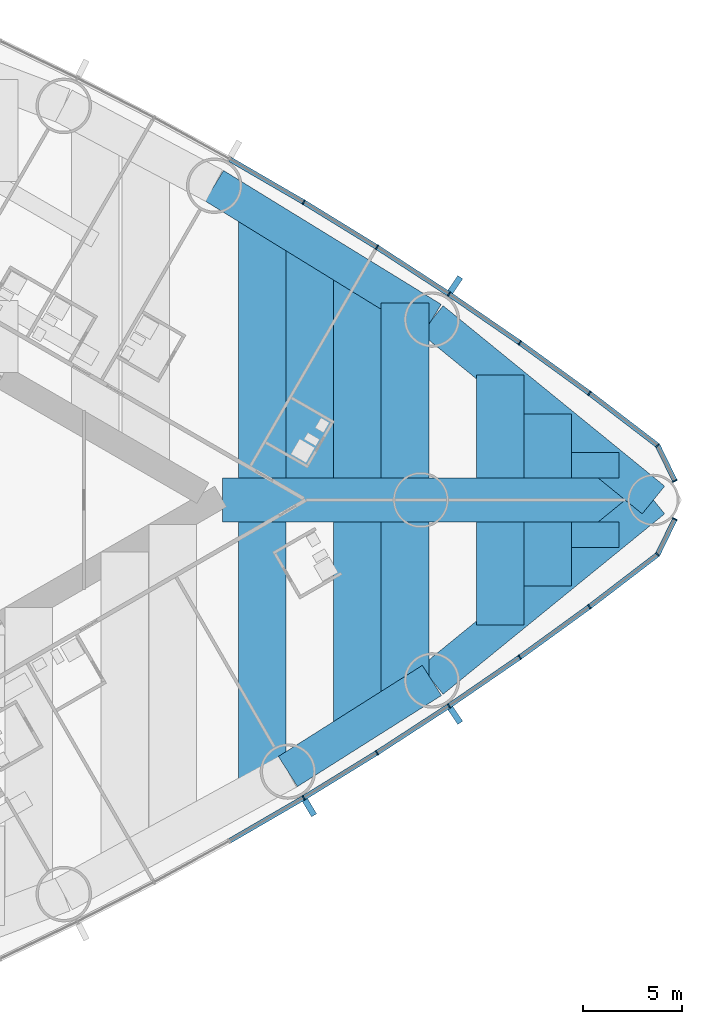
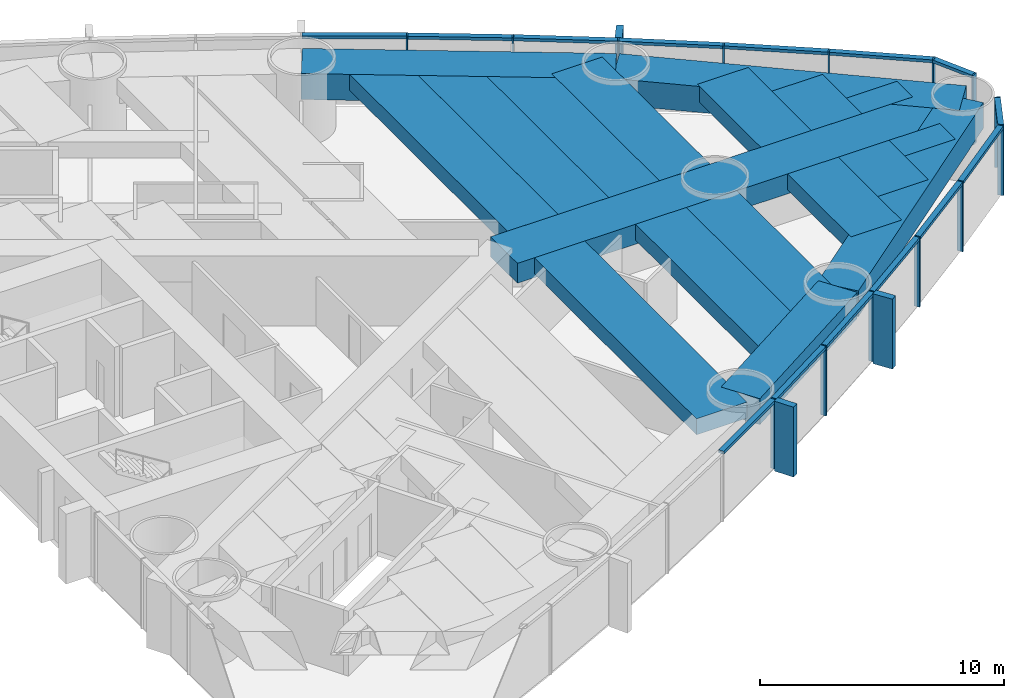
# One storey, part 8 of 19: 31 members, 18 beams, 2 elements without a shape of their own.
"""IFC4 building model written with IfcOpenShell, lengths in metres."""

from ifc_helpers import new_model, si_unit, direction, frame, origin, origin_2d, place, context, subcontext, project, spatial, rectangle, extrude, material, material_profile, profile_set, type_object, element, aggregate, save


model = new_model("IFC4")

# Units and contexts
model_context = context("Model", 3, precision=1e-05, world=origin(), true_north=direction((0.0, 1.0)))
body_context = subcontext(model_context, "Body", "Model", "MODEL_VIEW")
ifc_project = project(units=[si_unit("LENGTHUNIT", "METRE"), si_unit("AREAUNIT", "SQUARE_METRE"), si_unit("VOLUMEUNIT", "CUBIC_METRE"), si_unit("PLANEANGLEUNIT", "RADIAN"), si_unit("MASSUNIT", "GRAM", prefix="KILO")], contexts=[model_context])

# Site, building, storey
site_placement = place(None, origin())
site = spatial("IfcSite", under=ifc_project, at=site_placement, CompositionType="ELEMENT")
building_placement = place(site_placement, origin())
building = spatial("IfcBuilding", under=site, at=building_placement, Name="Lancet Gate Hotel", CompositionType="ELEMENT")
storey_placement = place(building_placement, frame((0.0, 0.0, 39.0)))
storey = spatial("IfcBuildingStorey", under=building, at=storey_placement, Name="L09", CompositionType="ELEMENT", Elevation=39.0)

# Curtain wall, members
ifc_material_1 = material(Name="Aluminium curtain wall", Category="aluminium")
curtain_wall_type = type_object("IfcCurtainWallType", Name="Tower unitised curtain wall", PredefinedType="USERDEFINED", material=ifc_material_1)
curtain_wall_1_placement = place(storey_placement, origin())
curtain_wall_1 = element("IfcCurtainWall", 1, at=curtain_wall_1_placement, inside=storey, type_object=curtain_wall_type, Name="T2 L09 curtain wall 2", ObjectType="UNITISED CURTAIN WALL", PredefinedType="USERDEFINED")
ifc_material_2 = material(Name="Aluminium mullion", Category="aluminium")
ifc_material_profile_1 = material_profile(ifc_material_2, rectangle(XDim=0.06494140625, YDim=0.25, at=origin_2d()), Name="MULLION 65x250")
ifc_profile_set_1 = profile_set([ifc_material_profile_1], Name="Aluminium mullion")
member_type_1 = type_object("IfcMemberType", Name="Aluminium mullion 65x250", PredefinedType="MULLION", material=ifc_profile_set_1)
member_1_placement = place(storey_placement, frame((55.590087890625, -15.03125, 0.0), z_axis=(0.0, 0.0, 1.0), x_axis=(0.858413008828, 0.512959166284, 0.0)))
member_1 = element("IfcMember", 2, at=member_1_placement, type_object=member_type_1, Name="T2 L09 curtain wall 2 mullion 8", PredefinedType="MULLION", context=body_context, shape_type="SweptSolid", body=[
    extrude(rectangle(XDim=0.06494140625, YDim=0.25, at=origin_2d()), origin(), (0.0, 0.0, 1.0), 3.5),
])
member_2_placement = place(storey_placement, frame((59.28515625, -12.7587890625, 0.0), z_axis=(0.0, 0.0, 1.0), x_axis=(0.845079420983, 0.534640788035, 0.0)))
member_2 = element("IfcMember", 3, at=member_2_placement, type_object=member_type_1, Name="T2 L09 curtain wall 2 mullion 9", PredefinedType="MULLION", context=body_context, shape_type="SweptSolid", body=[
    extrude(rectangle(XDim=0.06494140625, YDim=0.25, at=origin_2d()), origin(), (0.0, 0.0, 1.0), 3.5),
])
member_3_placement = place(storey_placement, frame((62.921142578125, -10.393310546875, 0.0), z_axis=(0.0, 0.0, 1.0), x_axis=(0.831198325377, 0.555976028162, 0.0)))
member_3 = element("IfcMember", 4, at=member_3_placement, type_object=member_type_1, Name="T2 L09 curtain wall 2 mullion 10", PredefinedType="MULLION", context=body_context, shape_type="SweptSolid", body=[
    extrude(rectangle(XDim=0.06494140625, YDim=0.25, at=origin_2d()), origin(), (0.0, 0.0, 1.0), 3.5),
])
member_4_placement = place(storey_placement, frame((66.49560546875, -7.935791015625, 0.0), z_axis=(0.0, 0.0, 1.0), x_axis=(0.816778715254, 0.576951064049, 0.0)))
member_4 = element("IfcMember", 5, at=member_4_placement, type_object=member_type_1, Name="T2 L09 curtain wall 2 mullion 11", PredefinedType="MULLION", context=body_context, shape_type="SweptSolid", body=[
    extrude(rectangle(XDim=0.06494140625, YDim=0.25, at=origin_2d()), origin(), (0.0, 0.0, 1.0), 3.5),
])
member_5_placement = place(storey_placement, frame((70.00634765625, -5.388427734375, 0.0), z_axis=(0.0, 0.0, 1.0), x_axis=(0.801829932754, 0.597552306447, 0.0)))
member_5 = element("IfcMember", 6, at=member_5_placement, type_object=member_type_1, Name="T2 L09 curtain wall 2 mullion 12", PredefinedType="MULLION", context=body_context, shape_type="SweptSolid", body=[
    extrude(rectangle(XDim=0.06494140625, YDim=0.25, at=origin_2d()), origin(), (0.0, 0.0, 1.0), 3.5),
])
member_6_placement = place(storey_placement, frame((73.451416015625, -2.752197265625, 0.0), z_axis=(0.0, 0.0, 1.0), x_axis=(0.697983022443, 0.716114306784, 0.0)))
member_6 = element("IfcMember", 7, at=member_6_placement, type_object=member_type_1, Name="T2 L09 curtain wall 2 mullion 13", PredefinedType="MULLION", context=body_context, shape_type="SweptSolid", body=[
    extrude(rectangle(XDim=0.06494140625, YDim=0.25, at=origin_2d()), origin(), (0.0, 0.0, 1.0), 3.5),
])
member_7_placement = place(storey_placement, frame((74.322265625, -0.96044921875, 0.0), z_axis=(0.0, 0.0, 1.0), x_axis=(0.437169070119, 0.899379343843, 0.0)))
member_7 = element("IfcMember", 8, at=member_7_placement, type_object=member_type_1, Name="T2 L09 curtain wall 2 mullion 14", PredefinedType="MULLION", context=body_context, shape_type="SweptSolid", body=[
    extrude(rectangle(XDim=0.06494140625, YDim=0.25, at=origin_2d()), origin(), (0.0, 0.0, 1.0), 3.5),
])

curtain_wall_2_placement = place(storey_placement, origin())
curtain_wall_2 = element("IfcCurtainWall", 9, at=curtain_wall_2_placement, inside=storey, type_object=curtain_wall_type, Name="T2 L09 curtain wall 3", ObjectType="UNITISED CURTAIN WALL", PredefinedType="USERDEFINED")
member_8_placement = place(storey_placement, frame((74.322265625, 0.96044921875, 0.0), z_axis=(0.0, 0.0, 1.0), x_axis=(-0.437169070119, 0.899379343843, 0.0)))
member_8 = element("IfcMember", 10, at=member_8_placement, type_object=member_type_1, Name="T2 L09 curtain wall 3 mullion 1", PredefinedType="MULLION", context=body_context, shape_type="SweptSolid", body=[
    extrude(rectangle(XDim=0.06494140625, YDim=0.25, at=origin_2d()), origin(), (0.0, 0.0, 1.0), 3.5),
])
member_9_placement = place(storey_placement, frame((73.451416015625, 2.752197265625, 0.0), z_axis=(0.0, 0.0, 1.0), x_axis=(-0.697983022443, 0.716114306784, 0.0)))
member_9 = element("IfcMember", 11, at=member_9_placement, type_object=member_type_1, Name="T2 L09 curtain wall 3 mullion 2", PredefinedType="MULLION", context=body_context, shape_type="SweptSolid", body=[
    extrude(rectangle(XDim=0.06494140625, YDim=0.25, at=origin_2d()), origin(), (0.0, 0.0, 1.0), 3.5),
])
member_10_placement = place(storey_placement, frame((70.00634765625, 5.388427734375, 0.0), z_axis=(0.0, 0.0, 1.0), x_axis=(-0.801829932754, 0.597552306447, 0.0)))
member_10 = element("IfcMember", 12, at=member_10_placement, type_object=member_type_1, Name="T2 L09 curtain wall 3 mullion 3", PredefinedType="MULLION", context=body_context, shape_type="SweptSolid", body=[
    extrude(rectangle(XDim=0.06494140625, YDim=0.25, at=origin_2d()), origin(), (0.0, 0.0, 1.0), 3.5),
])
member_11_placement = place(storey_placement, frame((66.49560546875, 7.935791015625, 0.0), z_axis=(0.0, 0.0, 1.0), x_axis=(-0.816778715254, 0.576951064049, 0.0)))
member_11 = element("IfcMember", 13, at=member_11_placement, type_object=member_type_1, Name="T2 L09 curtain wall 3 mullion 4", PredefinedType="MULLION", context=body_context, shape_type="SweptSolid", body=[
    extrude(rectangle(XDim=0.06494140625, YDim=0.25, at=origin_2d()), origin(), (0.0, 0.0, 1.0), 3.5),
])
member_12_placement = place(storey_placement, frame((62.921142578125, 10.393310546875, 0.0), z_axis=(0.0, 0.0, 1.0), x_axis=(-0.831198325377, 0.555976028162, 0.0)))
member_12 = element("IfcMember", 14, at=member_12_placement, type_object=member_type_1, Name="T2 L09 curtain wall 3 mullion 5", PredefinedType="MULLION", context=body_context, shape_type="SweptSolid", body=[
    extrude(rectangle(XDim=0.06494140625, YDim=0.25, at=origin_2d()), origin(), (0.0, 0.0, 1.0), 3.5),
])
member_13_placement = place(storey_placement, frame((59.28515625, 12.7587890625, 0.0), z_axis=(0.0, 0.0, 1.0), x_axis=(-0.845079420983, 0.534640788035, 0.0)))
member_13 = element("IfcMember", 15, at=member_13_placement, type_object=member_type_1, Name="T2 L09 curtain wall 3 mullion 6", PredefinedType="MULLION", context=body_context, shape_type="SweptSolid", body=[
    extrude(rectangle(XDim=0.06494140625, YDim=0.25, at=origin_2d()), origin(), (0.0, 0.0, 1.0), 3.5),
])
member_14_placement = place(storey_placement, frame((55.590087890625, 15.03125, 0.0), z_axis=(0.0, 0.0, 1.0), x_axis=(-0.858413008828, 0.512959166284, 0.0)))
member_14 = element("IfcMember", 16, at=member_14_placement, type_object=member_type_1, Name="T2 L09 curtain wall 3 mullion 7", PredefinedType="MULLION", context=body_context, shape_type="SweptSolid", body=[
    extrude(rectangle(XDim=0.06494140625, YDim=0.25, at=origin_2d()), origin(), (0.0, 0.0, 1.0), 3.5),
])

# Member
ifc_material_3 = material(Name="Aluminium transom", Category="aluminium")
ifc_material_profile_2 = material_profile(ifc_material_3, rectangle(XDim=0.25, YDim=0.14990234375, at=origin_2d()), Name="TRANSOM 250x150")
ifc_profile_set_2 = profile_set([ifc_material_profile_2], Name="Aluminium transom")
member_type_2 = type_object("IfcMemberType", Name="Aluminium transom 250x150", PredefinedType="USERDEFINED", material=ifc_profile_set_2)
member_15_placement = place(storey_placement, frame((51.86669921875, -17.1923828125, 3.425048828125), z_axis=(0.864854571156, 0.502022480324, 0.0), x_axis=(-0.502022480324, 0.864854571156, 0.0)))
member_15 = element("IfcMember", 17, at=member_15_placement, type_object=member_type_2, Name="T2 L09 curtain wall 2 transom 7", ObjectType="TRANSOM", PredefinedType="USERDEFINED", context=body_context, shape_type="SweptSolid", body=[
    extrude(rectangle(XDim=0.25, YDim=0.14990234375, at=origin_2d()), origin(), (0.0, 0.0, 1.0), 4.272705078125),
])

member_16_placement = place(storey_placement, frame((55.617919921875, -15.01416015625, 3.425048828125), z_axis=(0.851815224451, 0.523842365023, 0.0), x_axis=(-0.523842365023, 0.851815224451, 0.0)))
member_16 = element("IfcMember", 18, at=member_16_placement, type_object=member_type_2, Name="T2 L09 curtain wall 2 transom 8", ObjectType="TRANSOM", PredefinedType="USERDEFINED", context=body_context, shape_type="SweptSolid", body=[
    extrude(rectangle(XDim=0.25, YDim=0.14990234375, at=origin_2d()), origin(), (0.0, 0.0, 1.0), 4.272705078125),
])

member_17_placement = place(storey_placement, frame((59.3125, -12.7412109375, 3.425048828125), z_axis=(0.83817850664, 0.545395994674, 0.0), x_axis=(-0.545395994674, 0.83817850664, 0.0)))
member_17 = element("IfcMember", 19, at=member_17_placement, type_object=member_type_2, Name="T2 L09 curtain wall 2 transom 9", ObjectType="TRANSOM", PredefinedType="USERDEFINED", context=body_context, shape_type="SweptSolid", body=[
    extrude(rectangle(XDim=0.25, YDim=0.14990234375, at=origin_2d()), origin(), (0.0, 0.0, 1.0), 4.272705078125),
])

member_18_placement = place(storey_placement, frame((62.94775390625, -10.374755859375, 3.425048828125), z_axis=(0.824071932869, 0.566485171437, 0.0), x_axis=(-0.566485171437, 0.824071932869, 0.0)))
member_18 = element("IfcMember", 20, at=member_18_placement, type_object=member_type_2, Name="T2 L09 curtain wall 2 transom 10", ObjectType="TRANSOM", PredefinedType="USERDEFINED", context=body_context, shape_type="SweptSolid", body=[
    extrude(rectangle(XDim=0.25, YDim=0.14990234375, at=origin_2d()), origin(), (0.0, 0.0, 1.0), 4.272705078125),
])

member_19_placement = place(storey_placement, frame((66.52197265625, -7.916748046875, 3.425048828125), z_axis=(0.809382971085, 0.587281198505, 0.0), x_axis=(-0.587281198505, 0.809382971085, 0.0)))
member_19 = element("IfcMember", 21, at=member_19_placement, type_object=member_type_2, Name="T2 L09 curtain wall 2 transom 11", ObjectType="TRANSOM", PredefinedType="USERDEFINED", context=body_context, shape_type="SweptSolid", body=[
    extrude(rectangle(XDim=0.25, YDim=0.14990234375, at=origin_2d()), origin(), (0.0, 0.0, 1.0), 4.272705078125),
])

member_20_placement = place(storey_placement, frame((70.0322265625, -5.36865234375, 3.425048828125), z_axis=(0.794155062652, 0.607715177089, 0.0), x_axis=(-0.607715177089, 0.794155062652, 0.0)))
member_20 = element("IfcMember", 22, at=member_20_placement, type_object=member_type_2, Name="T2 L09 curtain wall 2 transom 12", ObjectType="TRANSOM", PredefinedType="USERDEFINED", context=body_context, shape_type="SweptSolid", body=[
    extrude(rectangle(XDim=0.25, YDim=0.14990234375, at=origin_2d()), origin(), (0.0, 0.0, 1.0), 4.27294921875),
])

member_21_placement = place(storey_placement, frame((73.465576171875, -2.72314453125, 3.425048828125), z_axis=(0.437103060611, 0.899411426659, 0.0), x_axis=(-0.899411426659, 0.437103060611, 0.0)))
member_21 = element("IfcMember", 23, at=member_21_placement, type_object=member_type_2, Name="T2 L09 curtain wall 2 transom 13", ObjectType="TRANSOM", PredefinedType="USERDEFINED", context=body_context, shape_type="SweptSolid", body=[
    extrude(rectangle(XDim=0.25, YDim=0.14990234375, at=origin_2d()), origin(), (0.0, 0.0, 1.0), 1.927490234375),
])

member_22_placement = place(storey_placement, frame((74.30810546875, 0.989501953125, 3.425048828125), z_axis=(-0.437103060611, 0.899411426659, 0.0), x_axis=(-0.899411426659, -0.437103060611, 0.0)))
member_22 = element("IfcMember", 24, at=member_22_placement, type_object=member_type_2, Name="T2 L09 curtain wall 3 transom 1", ObjectType="TRANSOM", PredefinedType="USERDEFINED", context=body_context, shape_type="SweptSolid", body=[
    extrude(rectangle(XDim=0.25, YDim=0.14990234375, at=origin_2d()), origin(), (0.0, 0.0, 1.0), 1.927490234375),
])

member_23_placement = place(storey_placement, frame((73.425537109375, 2.77197265625, 3.425048828125), z_axis=(-0.794155062652, 0.607715177089, 0.0), x_axis=(-0.607715177089, -0.794155062652, 0.0)))
member_23 = element("IfcMember", 25, at=member_23_placement, type_object=member_type_2, Name="T2 L09 curtain wall 3 transom 2", ObjectType="TRANSOM", PredefinedType="USERDEFINED", context=body_context, shape_type="SweptSolid", body=[
    extrude(rectangle(XDim=0.25, YDim=0.14990234375, at=origin_2d()), origin(), (0.0, 0.0, 1.0), 4.27294921875),
])

member_24_placement = place(storey_placement, frame((69.980224609375, 5.407470703125, 3.425048828125), z_axis=(-0.809382971085, 0.587281198505, 0.0), x_axis=(-0.587281198505, -0.809382971085, 0.0)))
member_24 = element("IfcMember", 26, at=member_24_placement, type_object=member_type_2, Name="T2 L09 curtain wall 3 transom 3", ObjectType="TRANSOM", PredefinedType="USERDEFINED", context=body_context, shape_type="SweptSolid", body=[
    extrude(rectangle(XDim=0.25, YDim=0.14990234375, at=origin_2d()), origin(), (0.0, 0.0, 1.0), 4.272705078125),
])

member_25_placement = place(storey_placement, frame((66.46875, 7.954345703125, 3.425048828125), z_axis=(-0.824071932869, 0.566485171437, 0.0), x_axis=(-0.566485171437, -0.824071932869, 0.0)))
member_25 = element("IfcMember", 27, at=member_25_placement, type_object=member_type_2, Name="T2 L09 curtain wall 3 transom 4", ObjectType="TRANSOM", PredefinedType="USERDEFINED", context=body_context, shape_type="SweptSolid", body=[
    extrude(rectangle(XDim=0.25, YDim=0.14990234375, at=origin_2d()), origin(), (0.0, 0.0, 1.0), 4.272705078125),
])

member_26_placement = place(storey_placement, frame((62.893798828125, 10.410888671875, 3.425048828125), z_axis=(-0.83817850664, 0.545395994674, 0.0), x_axis=(-0.545395994674, -0.83817850664, 0.0)))
member_26 = element("IfcMember", 28, at=member_26_placement, type_object=member_type_2, Name="T2 L09 curtain wall 3 transom 5", ObjectType="TRANSOM", PredefinedType="USERDEFINED", context=body_context, shape_type="SweptSolid", body=[
    extrude(rectangle(XDim=0.25, YDim=0.14990234375, at=origin_2d()), origin(), (0.0, 0.0, 1.0), 4.272705078125),
])

member_27_placement = place(storey_placement, frame((59.257568359375, 12.77587890625, 3.425048828125), z_axis=(-0.851815224451, 0.523842365023, 0.0), x_axis=(-0.523842365023, -0.851815224451, 0.0)))
member_27 = element("IfcMember", 29, at=member_27_placement, type_object=member_type_2, Name="T2 L09 curtain wall 3 transom 6", ObjectType="TRANSOM", PredefinedType="USERDEFINED", context=body_context, shape_type="SweptSolid", body=[
    extrude(rectangle(XDim=0.25, YDim=0.14990234375, at=origin_2d()), origin(), (0.0, 0.0, 1.0), 4.272705078125),
])

member_28_placement = place(storey_placement, frame((55.56201171875, 15.04736328125, 3.425048828125), z_axis=(-0.864854571156, 0.502022480324, 0.0), x_axis=(-0.502022480324, -0.864854571156, 0.0)))
member_28 = element("IfcMember", 30, at=member_28_placement, type_object=member_type_2, Name="T2 L09 curtain wall 3 transom 7", ObjectType="TRANSOM", PredefinedType="USERDEFINED", context=body_context, shape_type="SweptSolid", body=[
    extrude(rectangle(XDim=0.25, YDim=0.14990234375, at=origin_2d()), origin(), (0.0, 0.0, 1.0), 4.272705078125),
])

# Beams
ifc_material_4 = material(Name="Concrete C50/60", Category="concrete")
ifc_material_profile_3 = material_profile(ifc_material_4, rectangle(XDim=1.800048828125, YDim=1.300048828125, at=origin_2d()), Name="RC 1800x1300")
ifc_profile_set_3 = profile_set([ifc_material_profile_3], Name="Concrete C50/60")
beam_type_1 = type_object("IfcBeamType", Name="Edge beam RC 1800x1300", PredefinedType="SPANDREL", material=ifc_profile_set_3)
beam_1_placement = place(storey_placement, frame((54.795166015625, -13.70068359375, 2.60009765625), z_axis=(0.845078312276, 0.534642540508, 0.0), x_axis=(-0.534642540508, 0.845078312276, 0.0)))
element("IfcBeam", 31, at=beam_1_placement, inside=storey, type_object=beam_type_1, Name="T2 edge beam EB1 L09", PredefinedType="SPANDREL", context=body_context, shape_type="SweptSolid", body=[
    extrude(rectangle(XDim=1.800048828125, YDim=1.300048828125, at=origin_2d()), origin(), (0.0, 0.0, 1.0), 8.595947265625),
])
for number, where, z_axis, x_axis, name in (
    (32, (62.059326171875, -9.10498046875, 2.60009765625), (0.775390970005, 0.631481467372, 0.0), (-0.631481467372, 0.775390970005, 0.0), "T2 edge beam EB1 L09"),
    (33, (73.2392578125, 0.0, 2.60009765625), (-0.775390970005, 0.631481467372, 0.0), (-0.631481467372, -0.775390970005, 0.0), "T2 edge beam EB1 L09"),
):
    element("IfcBeam", number, at=place(storey_placement, frame(where, z_axis=z_axis, x_axis=x_axis)), inside=storey, type_object=beam_type_1, Name=name, PredefinedType="SPANDREL", context=body_context, shape_type="SweptSolid", body=[
        extrude(rectangle(XDim=1.800048828125, YDim=1.300048828125, at=origin_2d()), origin(), (0.0, 0.0, 1.0), 14.41845703125),
    ])
beam_2_placement = place(storey_placement, frame((62.059326171875, 9.10498046875, 2.60009765625), z_axis=(-0.851815628025, 0.523841708775, 0.0), x_axis=(-0.523841708775, -0.851815628025, 0.0)))
element("IfcBeam", 34, at=beam_2_placement, inside=storey, type_object=beam_type_1, Name="T2 edge beam EB1 L09", PredefinedType="SPANDREL", context=body_context, shape_type="SweptSolid", body=[
    extrude(rectangle(XDim=1.800048828125, YDim=1.300048828125, at=origin_2d()), origin(), (0.0, 0.0, 1.0), 12.89208984375),
])

# Member
ifc_material_5 = material(Name="Precast concrete C50/60", Category="concrete")
ifc_material_profile_4 = material_profile(ifc_material_5, rectangle(XDim=0.300048828125, YDim=0.89990234375, at=origin_2d()), Name="FIN 300x900")
ifc_profile_set_4 = profile_set([ifc_material_profile_4], Name="Precast concrete C50/60")
member_type_3 = type_object("IfcMemberType", Name="Exposed concrete fin 300x900", PredefinedType="USERDEFINED", material=ifc_profile_set_4)
member_29_placement = place(storey_placement, frame((55.88525390625, -15.524658203125, 0.0), z_axis=(0.0, 0.0, 1.0), x_axis=(0.858413008828, 0.512959166284, 0.0)))
member_29 = element("IfcMember", 35, at=member_29_placement, type_object=member_type_3, Name="T2 L09 curtain wall 2 fin 8", ObjectType="FIN", PredefinedType="USERDEFINED", context=body_context, shape_type="SweptSolid", body=[
    extrude(rectangle(XDim=0.300048828125, YDim=0.89990234375, at=origin_2d()), origin(), (0.0, 0.0, 1.0), 3.5),
])

member_30_placement = place(storey_placement, frame((63.24072265625, -10.87109375, 0.0), z_axis=(0.0, 0.0, 1.0), x_axis=(0.831198325377, 0.555976028162, 0.0)))
member_30 = element("IfcMember", 36, at=member_30_placement, type_object=member_type_3, Name="T2 L09 curtain wall 2 fin 10", ObjectType="FIN", PredefinedType="USERDEFINED", context=body_context, shape_type="SweptSolid", body=[
    extrude(rectangle(XDim=0.300048828125, YDim=0.89990234375, at=origin_2d()), origin(), (0.0, 0.0, 1.0), 3.5),
])

aggregate(curtain_wall_1, [member_1, member_29, member_2, member_3, member_30, member_4, member_5, member_6, member_7, member_15, member_16, member_17, member_18, member_19, member_20, member_21])

member_31_placement = place(storey_placement, frame((63.24072265625, 10.87109375, 0.0), z_axis=(0.0, 0.0, 1.0), x_axis=(-0.831198325377, 0.555976028162, 0.0)))
member_31 = element("IfcMember", 37, at=member_31_placement, type_object=member_type_3, Name="T2 L09 curtain wall 3 fin 5", ObjectType="FIN", PredefinedType="USERDEFINED", context=body_context, shape_type="SweptSolid", body=[
    extrude(rectangle(XDim=0.300048828125, YDim=0.89990234375, at=origin_2d()), origin(), (0.0, 0.0, 1.0), 3.5),
])

aggregate(curtain_wall_2, [member_8, member_9, member_10, member_11, member_12, member_31, member_13, member_14, member_22, member_23, member_24, member_25, member_26, member_27, member_28])

# Beams
ifc_material_6 = material(Name="Concrete C50/60", Category="concrete")
ifc_material_profile_5 = material_profile(ifc_material_6, rectangle(XDim=2.39990234375, YDim=0.800048828125, at=origin_2d()), Name="RC 2400x800")
ifc_profile_set_5 = profile_set([ifc_material_profile_5], Name="Concrete C50/60")
beam_type_2 = type_object("IfcBeamType", Name="Floor beam RC 2400x800", PredefinedType="BEAM", material=ifc_profile_set_5)
beam_3_placement = place(storey_placement, frame((53.502197265625, -14.40771484375, 2.85009765625), z_axis=(0.0, 1.0, 0.0), x_axis=(-1.0, 0.0, 0.0)))
element("IfcBeam", 38, at=beam_3_placement, inside=storey, type_object=beam_type_2, Name="T2 floor beam F16S L09", PredefinedType="BEAM", context=body_context, shape_type="SweptSolid", body=[
    extrude(rectangle(XDim=2.39990234375, YDim=0.800048828125, at=origin_2d()), origin(), (0.0, 0.0, 1.0), 13.3076171875),
])
beam_4_placement = place(storey_placement, frame((53.502197265625, 1.10009765625, 2.85009765625), z_axis=(0.0, 1.0, 0.0), x_axis=(-1.0, 0.0, 0.0)))
element("IfcBeam", 39, at=beam_4_placement, inside=storey, type_object=beam_type_2, Name="T2 floor beam F17N L09", PredefinedType="BEAM", context=body_context, shape_type="SweptSolid", body=[
    extrude(rectangle(XDim=2.39990234375, YDim=0.800048828125, at=origin_2d()), origin(), (0.0, 0.0, 1.0), 13.26708984375),
])
beam_5_placement = place(storey_placement, frame((55.90234375, 1.10009765625, 2.85009765625), z_axis=(0.0, 1.0, 0.0), x_axis=(-1.0, 0.0, 0.0)))
element("IfcBeam", 40, at=beam_5_placement, inside=storey, type_object=beam_type_2, Name="T2 floor beam F18N L09", PredefinedType="BEAM", context=body_context, shape_type="SweptSolid", body=[
    extrude(rectangle(XDim=2.39990234375, YDim=0.800048828125, at=origin_2d()), origin(), (0.0, 0.0, 1.0), 11.791259765625),
])
beam_6_placement = place(storey_placement, frame((58.30224609375, -11.48193359375, 2.85009765625), z_axis=(0.0, 1.0, 0.0), x_axis=(-1.0, 0.0, 0.0)))
element("IfcBeam", 41, at=beam_6_placement, inside=storey, type_object=beam_type_2, Name="T2 floor beam F19S L09", PredefinedType="BEAM", context=body_context, shape_type="SweptSolid", body=[
    extrude(rectangle(XDim=2.39990234375, YDim=0.800048828125, at=origin_2d()), origin(), (0.0, 0.0, 1.0), 10.3818359375),
])
beam_7_placement = place(storey_placement, frame((58.30224609375, 1.10009765625, 2.85009765625), z_axis=(0.0, 1.0, 0.0), x_axis=(-1.0, 0.0, 0.0)))
element("IfcBeam", 42, at=beam_7_placement, inside=storey, type_object=beam_type_2, Name="T2 floor beam F20N L09", PredefinedType="BEAM", context=body_context, shape_type="SweptSolid", body=[
    extrude(rectangle(XDim=2.39990234375, YDim=0.800048828125, at=origin_2d()), origin(), (0.0, 0.0, 1.0), 10.3154296875),
])
beam_8_placement = place(storey_placement, frame((60.7021484375, -9.96337890625, 2.85009765625), z_axis=(0.0, 1.0, 0.0), x_axis=(-1.0, 0.0, 0.0)))
element("IfcBeam", 43, at=beam_8_placement, inside=storey, type_object=beam_type_2, Name="T2 floor beam F21S L09", PredefinedType="BEAM", context=body_context, shape_type="SweptSolid", body=[
    extrude(rectangle(XDim=2.39990234375, YDim=0.800048828125, at=origin_2d()), origin(), (0.0, 0.0, 1.0), 8.86328125),
])
beam_9_placement = place(storey_placement, frame((60.7021484375, 1.10009765625, 2.85009765625), z_axis=(0.0, 1.0, 0.0), x_axis=(-1.0, 0.0, 0.0)))
element("IfcBeam", 44, at=beam_9_placement, inside=storey, type_object=beam_type_2, Name="T2 floor beam F22N L09", PredefinedType="BEAM", context=body_context, shape_type="SweptSolid", body=[
    extrude(rectangle(XDim=2.39990234375, YDim=0.800048828125, at=origin_2d()), origin(), (0.0, 0.0, 1.0), 8.83935546875),
])
for number, where, z_axis, x_axis, name in (
    (45, (65.502197265625, -6.301025390625, 2.85009765625), (0.0, 1.0, 0.0), (-1.0, 0.0, 0.0), "T2 floor beam F23S L09"),
    (46, (65.502197265625, 1.10009765625, 2.85009765625), (0.0, 1.0, 0.0), (-1.0, 0.0, 0.0), "T2 floor beam F24N L09"),
):
    element("IfcBeam", number, at=place(storey_placement, frame(where, z_axis=z_axis, x_axis=x_axis)), inside=storey, type_object=beam_type_2, Name=name, PredefinedType="BEAM", context=body_context, shape_type="SweptSolid", body=[
        extrude(rectangle(XDim=2.39990234375, YDim=0.800048828125, at=origin_2d()), origin(), (0.0, 0.0, 1.0), 5.200927734375),
    ])
for number, where, z_axis, x_axis, name in (
    (47, (67.90234375, -4.346435546875, 2.85009765625), (0.0, 1.0, 0.0), (-1.0, 0.0, 0.0), "T2 floor beam F25S L09"),
    (48, (67.90234375, 1.10009765625, 2.85009765625), (0.0, 1.0, 0.0), (-1.0, 0.0, 0.0), "T2 floor beam F26N L09"),
):
    element("IfcBeam", number, at=place(storey_placement, frame(where, z_axis=z_axis, x_axis=x_axis)), inside=storey, type_object=beam_type_2, Name=name, PredefinedType="BEAM", context=body_context, shape_type="SweptSolid", body=[
        extrude(rectangle(XDim=2.39990234375, YDim=0.800048828125, at=origin_2d()), origin(), (0.0, 0.0, 1.0), 3.246337890625),
    ])
for number, where, z_axis, x_axis, name in (
    (49, (70.30224609375, -2.391845703125, 2.85009765625), (0.0, 1.0, 0.0), (-1.0, 0.0, 0.0), "T2 floor beam F27S L09"),
    (50, (70.30224609375, 1.10009765625, 2.85009765625), (0.0, 1.0, 0.0), (-1.0, 0.0, 0.0), "T2 floor beam F28N L09"),
):
    element("IfcBeam", number, at=place(storey_placement, frame(where, z_axis=z_axis, x_axis=x_axis)), inside=storey, type_object=beam_type_2, Name=name, PredefinedType="BEAM", context=body_context, shape_type="SweptSolid", body=[
        extrude(rectangle(XDim=2.39990234375, YDim=0.800048828125, at=origin_2d()), origin(), (0.0, 0.0, 1.0), 1.291748046875),
    ])
ifc_material_7 = material(Name="Concrete C50/60", Category="concrete")
ifc_material_profile_6 = material_profile(ifc_material_7, rectangle(XDim=2.199951171875, YDim=1.0, at=origin_2d()), Name="RC 2200x1000")
ifc_profile_set_6 = profile_set([ifc_material_profile_6], Name="Concrete C50/60")
beam_type_3 = type_object("IfcBeamType", Name="Radial floor beam RC 2200x1000", PredefinedType="BEAM", material=ifc_profile_set_6)
beam_10_placement = place(storey_placement, frame((73.2392578125, 0.0, 2.75), z_axis=(-1.0, 0.0, 0.0), x_axis=(0.0, -1.0, 0.0)))
element("IfcBeam", 51, at=beam_10_placement, inside=storey, type_object=beam_type_3, Name="T2 radial beam CA L09", PredefinedType="BEAM", context=body_context, shape_type="SweptSolid", body=[
    extrude(rectangle(XDim=2.199951171875, YDim=1.0, at=origin_2d()), origin(), (0.0, 0.0, 1.0), 21.737060546875),
])

save(model, "model.ifc")
